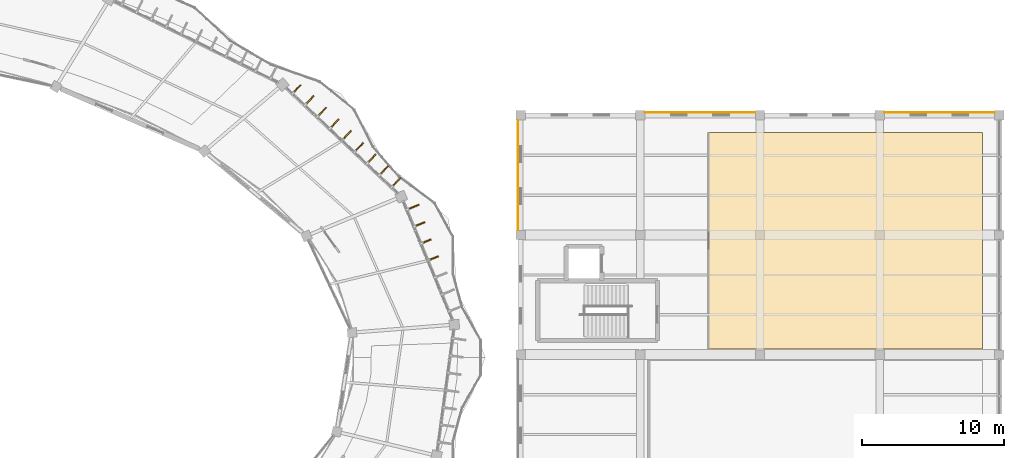
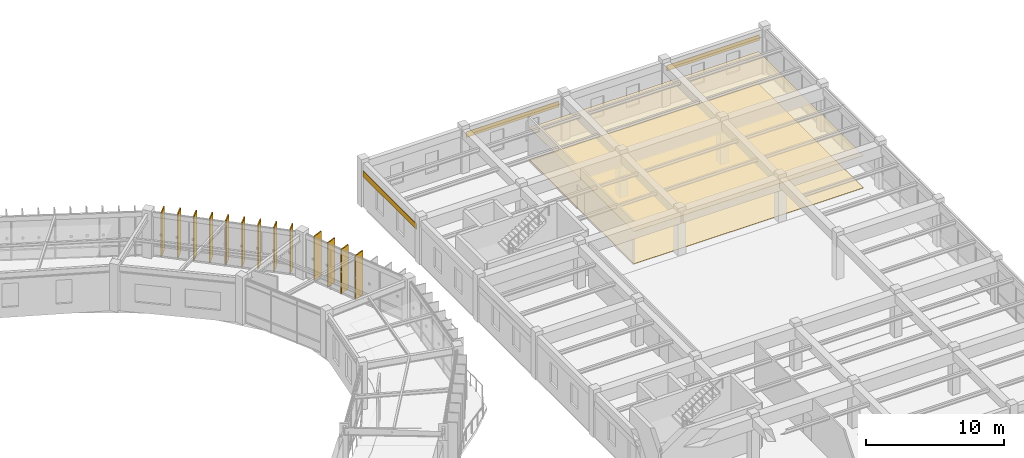
# One storey, part 138 of 138: 13 shading devices, 5 coverings.
"""IFC4 building model written with IfcOpenShell, lengths in metres."""

from ifc_helpers import new_model, si_unit, direction, frame, origin, origin_2d, place, context, subcontext, project, spatial, polyline, rectangle, outline, extrude, material, layer, layer_set, type_object, element, save


model = new_model("IFC4")

# Units and contexts
model_context = context("Model", 3, precision=1e-05, world=origin(), true_north=direction((0.0, 1.0)))
body_context = subcontext(model_context, "Body", "Model", "MODEL_VIEW")
ifc_project = project(units=[si_unit("LENGTHUNIT", "METRE"), si_unit("AREAUNIT", "SQUARE_METRE"), si_unit("VOLUMEUNIT", "CUBIC_METRE"), si_unit("PLANEANGLEUNIT", "RADIAN"), si_unit("MASSUNIT", "GRAM", prefix="KILO"), si_unit("THERMODYNAMICTEMPERATUREUNIT", "KELVIN"), si_unit("POWERUNIT", "WATT")], contexts=[model_context])

# Site, building, storey
site_placement = place(None, origin())
site = spatial("IfcSite", under=ifc_project, at=site_placement, CompositionType="ELEMENT")
building_placement = place(site_placement, origin())
building = spatial("IfcBuilding", under=site, at=building_placement, Name="Darbajah Civic Hall", CompositionType="ELEMENT")
storey_placement = place(building_placement, frame((0.0, 0.0, 9.60009765625)))
storey = spatial("IfcBuildingStorey", under=building, at=storey_placement, Name="L02", CompositionType="ELEMENT", Elevation=9.60009765625)

# Coverings
ifc_material_1 = material(Name="Honed Qatari Limestone Terrazzo", Category="masonry")
ifc_layer_1 = layer(ifc_material_1, 0.030029296875, Name="Honed Qatari Limestone Terrazzo")
ifc_layer_set_1 = layer_set([ifc_layer_1], Name="Honed Qatari Limestone Terrazzo")
covering_type_1 = type_object("IfcCoveringType", Name="Honed Qatari Limestone Terrazzo Flooring", PredefinedType="FLOORING", material=ifc_layer_set_1)
covering_1_placement = place(storey_placement, origin())
element("IfcCovering", 1, at=covering_1_placement, inside=storey, type_object=covering_type_1, Name="L02 stone terrazzo flooring L02-V4-03", PredefinedType="FLOORING", context=body_context, shape_type="SweptSolid", body=[
    extrude(outline(polyline([(157.800048828125, 90.39990234375), (177.0, 90.39990234375), (177.0, 105.60009765625), (157.800048828125, 105.60009765625), (157.800048828125, 90.39990234375)])), origin(), (0.0, 0.0, 1.0), 0.02978515625),
])
ifc_material_2 = material(Name="Qatari Desert Limestone Ashlar", Category="masonry")
ifc_layer_2 = layer(ifc_material_2, 0.044921875, Name="Qatari Desert Limestone Ashlar")
ifc_layer_set_2 = layer_set([ifc_layer_2], Name="Qatari Desert Limestone Ashlar")
covering_type_2 = type_object("IfcCoveringType", Name="Limestone Facade Cladding", PredefinedType="CLADDING", material=ifc_layer_set_2)
covering_2_placement = place(storey_placement, frame((0.0, 0.0, 2.7099609375)))
element("IfcCovering", 2, at=covering_2_placement, inside=storey, type_object=covering_type_2, Name="L02 stone frieze cladding EW-V4-L02-S2-B0", PredefinedType="CLADDING", context=body_context, shape_type="SweptSolid", body=[
    extrude(outline(polyline([(177.873046875, 106.969970703125), (170.126953125, 106.969970703125), (170.126953125, 107.014892578125), (177.873046875, 107.014892578125), (177.873046875, 106.969970703125)])), origin(), (0.0, 0.0, 1.0), 0.5),
])
covering_3_placement = place(storey_placement, frame((0.0, 0.0, 2.7099609375)))
element("IfcCovering", 3, at=covering_3_placement, inside=storey, type_object=covering_type_2, Name="L02 stone frieze cladding EW-V4-L02-S2-B2", PredefinedType="CLADDING", context=body_context, shape_type="SweptSolid", body=[
    extrude(outline(polyline([(161.072998046875, 106.969970703125), (153.326904296875, 106.969970703125), (153.326904296875, 107.014892578125), (161.072998046875, 107.014892578125), (161.072998046875, 106.969970703125)])), origin(), (0.0, 0.0, 1.0), 0.5),
])
covering_4_placement = place(storey_placement, frame((0.0, 0.0, 2.7099609375)))
element("IfcCovering", 4, at=covering_4_placement, inside=storey, type_object=covering_type_2, Name="L02 stone frieze cladding EW-V4-L02-S3-B0", PredefinedType="CLADDING", context=body_context, shape_type="SweptSolid", body=[
    extrude(outline(polyline([(144.429931640625, 106.472900390625), (144.429931640625, 98.72705078125), (144.385009765625, 98.72705078125), (144.385009765625, 106.472900390625), (144.429931640625, 106.472900390625)])), origin(), (0.0, 0.0, 1.0), 0.5),
])
ifc_material_3 = material(Name="Perforated Acoustic Gypsum Board")
ifc_layer_3 = layer(ifc_material_3, 0.02490234375, Name="Perforated Acoustic Gypsum Board")
ifc_layer_set_3 = layer_set([ifc_layer_3], Name="Perforated Acoustic Gypsum Board")
covering_type_3 = type_object("IfcCoveringType", Name="Perforated Acoustic Gypsum Ceiling", PredefinedType="CEILING", material=ifc_layer_set_3)
covering_5_placement = place(storey_placement, frame((0.0, 0.0, 2.849853515625)))
element("IfcCovering", 5, at=covering_5_placement, inside=storey, type_object=covering_type_3, Name="L02 acoustic suspended ceiling L02-V4-03", PredefinedType="CEILING", context=body_context, shape_type="SweptSolid", body=[
    extrude(outline(polyline([(157.800048828125, 90.39990234375), (177.0, 90.39990234375), (177.0, 105.60009765625), (157.800048828125, 105.60009765625), (157.800048828125, 90.39990234375)])), origin(), (0.0, 0.0, 1.0), 0.025146484375),
])

# Shading devices
ifc_material_4 = material(Name="Bronze Anodised Aluminium and Teak Composite", Category="aluminium")
shading_device_type = type_object("IfcShadingDeviceType", Name="Vertical Bronze Timber Shading Fin", PredefinedType="USERDEFINED", material=ifc_material_4)
for number, where, z_axis, x_axis, name in (
    (6, (138.435302734375, 96.749267578125, 0.0), (0.0, 0.0, 1.0), (0.923612143954, 0.383328328644, 0.0), "L02 vertical shading fin VF-00-4"),
    (7, (137.9208984375, 97.9296875, 0.0), (0.0, 0.0, 1.0), (0.923612143954, 0.383328328644, 0.0), "L02 vertical shading fin VF-00-5"),
    (8, (137.488525390625, 99.144287109375, 0.0), (0.0, 0.0, 1.0), (0.923612143954, 0.383328328644, 0.0), "L02 vertical shading fin VF-00-6"),
    (9, (137.0751953125, 100.366943359375, 0.0), (0.0, 0.0, 1.0), (0.923612143954, 0.383328328644, 0.0), "L02 vertical shading fin VF-00-7"),
    (10, (135.880615234375, 102.11572265625, 0.0), (0.0, 0.0, 1.0), (0.686453193248, 0.727173991201, 0.0), "L02 vertical shading fin VF-01-1"),
    (11, (135.01123046875, 102.936279296875, 0.0), (0.0, 0.0, 1.0), (0.686453193248, 0.727173991201, 0.0), "L02 vertical shading fin VF-01-2"),
    (12, (134.1416015625, 103.757080078125, 0.0), (0.0, 0.0, 1.0), (0.686453193248, 0.727173991201, 0.0), "L02 vertical shading fin VF-01-3"),
    (13, (133.272216796875, 104.577880859375, 0.0), (0.0, 0.0, 1.0), (0.686453193248, 0.727173991201, 0.0), "L02 vertical shading fin VF-01-4"),
    (14, (132.40283203125, 105.3984375, 0.0), (0.0, 0.0, 1.0), (0.686453193248, 0.727173991201, 0.0), "L02 vertical shading fin VF-01-5"),
    (15, (131.533203125, 106.21923828125, 0.0), (0.0, 0.0, 1.0), (0.686453193248, 0.727173991201, 0.0), "L02 vertical shading fin VF-01-6"),
    (16, (130.663818359375, 107.039794921875, 0.0), (0.0, 0.0, 1.0), (0.686453193248, 0.727173991201, 0.0), "L02 vertical shading fin VF-01-7"),
    (17, (129.79443359375, 107.860595703125, 0.0), (0.0, 0.0, 1.0), (0.686453193248, 0.727173991201, 0.0), "L02 vertical shading fin VF-01-8"),
    (18, (128.867919921875, 108.620849609375, 0.0), (0.0, 0.0, 1.0), (0.686453193248, 0.727173991201, 0.0), "L02 vertical shading fin VF-01-9"),
):
    element("IfcShadingDevice", number, at=place(storey_placement, frame(where, z_axis=z_axis, x_axis=x_axis)), inside=storey, type_object=shading_device_type, Name=name, ObjectType="VERTICAL FIN", PredefinedType="USERDEFINED", context=body_context, shape_type="SweptSolid", body=[
        extrude(rectangle(XDim=0.85009765625, YDim=0.090087890625, at=origin_2d()), origin(), (0.0, 0.0, 1.0), 3.919921875),
    ])

save(model, "model.ifc")
